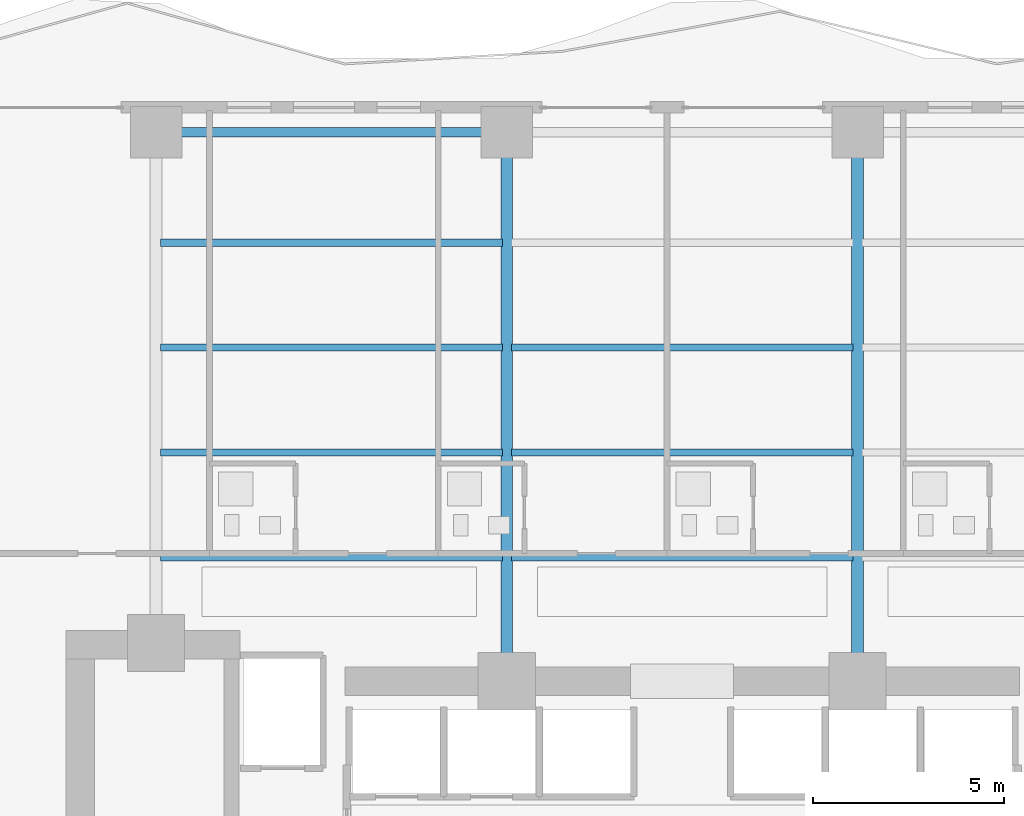
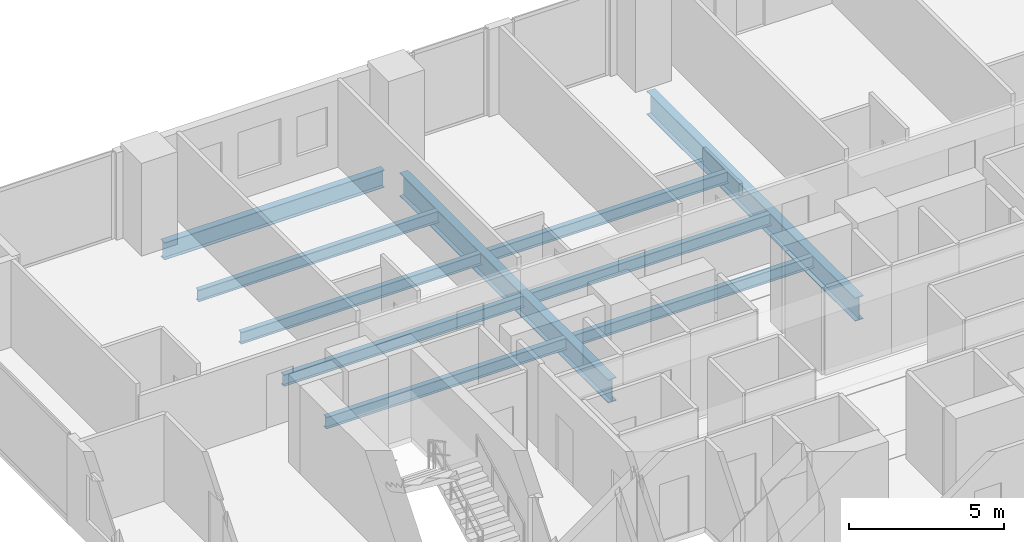
# One storey, part 15 of 27: 10 beams.
"""IFC4 building model written with IfcOpenShell, lengths in metres."""

from ifc_helpers import new_model, si_unit, direction, frame, origin, origin_2d, place, context, subcontext, project, spatial, i_section, extrude, material, material_profile, profile_set, type_object, element, save


model = new_model("IFC4")

# Units and contexts
model_context = context("Model", 3, precision=1e-05, world=origin(), true_north=direction((0.0, 1.0)))
body_context = subcontext(model_context, "Body", "Model", "MODEL_VIEW")
ifc_project = project(units=[si_unit("LENGTHUNIT", "METRE"), si_unit("AREAUNIT", "SQUARE_METRE"), si_unit("VOLUMEUNIT", "CUBIC_METRE"), si_unit("PLANEANGLEUNIT", "RADIAN"), si_unit("MASSUNIT", "GRAM", prefix="KILO")], contexts=[model_context])

# Site, building, storey
site_placement = place(None, origin())
site = spatial("IfcSite", under=ifc_project, at=site_placement, CompositionType="ELEMENT")
building_placement = place(site_placement, origin())
building = spatial("IfcBuilding", under=site, at=building_placement, Name="Zuhayl Quay Hotel", CompositionType="ELEMENT")
storey_placement = place(building_placement, frame((0.0, 0.0, 102.949951171875)))
storey = spatial("IfcBuildingStorey", under=building, at=storey_placement, Name="L25", CompositionType="ELEMENT", Elevation=102.949951171875)

# Beams
ifc_material = material(Name="Steel ASTM A992 Grade 50", Category="steel")
ifc_material_profile_1 = material_profile(ifc_material, i_section(OverallWidth=0.25390625, OverallDepth=0.68310546875, WebThickness=0.012451171875, FlangeThickness=0.018798828125, at=origin_2d()), Name="W27X94")
ifc_profile_set_1 = profile_set([ifc_material_profile_1], Name="Steel ASTM A992 Grade 50")
beam_type_1 = type_object("IfcBeamType", Name="BM_B2_W27X94", PredefinedType="BEAM", material=ifc_profile_set_1)
beam_placement = place(storey_placement, frame((-5.10009765625, 27.75, -0.5615234375), z_axis=(-1.0, 0.0, 0.0), x_axis=(0.0, -1.0, 0.0)))
element("IfcBeam", 1, at=beam_placement, inside=storey, type_object=beam_type_1, Name="L25 Floor Beam RG_L25_09", PredefinedType="BEAM", context=body_context, shape_type="SweptSolid", body=[
    extrude(i_section(OverallWidth=0.25390625, OverallDepth=0.68310546875, WebThickness=0.012451171875, FlangeThickness=0.018798828125, at=origin_2d()), origin(), (0.0, 0.0, 1.0), 8.199951171875),
])
ifc_material_profile_2 = material_profile(ifc_material, i_section(OverallWidth=0.18994140625, OverallDepth=0.45703125, WebThickness=0.009033203125, FlangeThickness=0.014404296875, at=origin_2d()), Name="W18X50")
ifc_profile_set_2 = profile_set([ifc_material_profile_2], Name="Steel ASTM A992 Grade 50")
beam_type_2 = type_object("IfcBeamType", Name="BM_J2_W18X50", PredefinedType="JOIST", material=ifc_profile_set_2)
for number, where, z_axis, x_axis, name in (
    (2, (-13.680908203125, 16.60009765625, -0.448486328125), (1.0, 0.0, 0.0), (0.0, 1.0, 0.0), "L25 Floor Beam FJ_L25_1_1"),
    (3, (-4.48095703125, 16.60009765625, -0.448486328125), (1.0, 0.0, 0.0), (0.0, 1.0, 0.0), "L25 Floor Beam FJ_L25_1_2"),
    (4, (-13.680908203125, 19.35009765625, -0.448486328125), (1.0, 0.0, 0.0), (0.0, 1.0, 0.0), "L25 Floor Beam FJ_L25_2_1"),
    (5, (-4.48095703125, 19.35009765625, -0.448486328125), (1.0, 0.0, 0.0), (0.0, 1.0, 0.0), "L25 Floor Beam FJ_L25_2_2"),
    (6, (-13.680908203125, 22.10009765625, -0.448486328125), (1.0, 0.0, 0.0), (0.0, 1.0, 0.0), "L25 Floor Beam FJ_L25_3_1"),
    (7, (-4.48095703125, 22.10009765625, -0.448486328125), (1.0, 0.0, 0.0), (0.0, 1.0, 0.0), "L25 Floor Beam FJ_L25_3_2"),
    (8, (-13.680908203125, 24.85009765625, -0.448486328125), (1.0, 0.0, 0.0), (0.0, 1.0, 0.0), "L25 Floor Beam FJ_L25_4_1"),
):
    element("IfcBeam", number, at=place(storey_placement, frame(where, z_axis=z_axis, x_axis=x_axis)), inside=storey, type_object=beam_type_2, Name=name, PredefinedType="JOIST", context=body_context, shape_type="SweptSolid", body=[
        extrude(i_section(OverallWidth=0.18994140625, OverallDepth=0.45703125, WebThickness=0.009033203125, FlangeThickness=0.014404296875, at=origin_2d()), origin(), (0.0, 0.0, 1.0), 8.9619140625),
    ])
ifc_material_profile_3 = material_profile(ifc_material, i_section(OverallWidth=0.306884765625, OverallDepth=0.927001953125, WebThickness=0.019287109375, FlangeThickness=0.031982421875, at=origin_2d()), Name="W36X194")
ifc_profile_set_3 = profile_set([ifc_material_profile_3], Name="Steel ASTM A992 Grade 50")
beam_type_3 = type_object("IfcBeamType", Name="BM_PG2_W36X194", PredefinedType="BEAM", material=ifc_profile_set_3)
for number, where, z_axis, x_axis, name in (
    (9, (-4.60009765625, 13.800048828125, -0.683349609375), (0.0, 1.0, 0.0), (-1.0, 0.0, 0.0), "L25 Floor Beam FG_N_L25_2"),
    (10, (4.60009765625, 13.800048828125, -0.683349609375), (0.0, 1.0, 0.0), (-1.0, 0.0, 0.0), "L25 Floor Beam FG_N_L25_3"),
):
    element("IfcBeam", number, at=place(storey_placement, frame(where, z_axis=z_axis, x_axis=x_axis)), inside=storey, type_object=beam_type_3, Name=name, PredefinedType="BEAM", context=body_context, shape_type="SweptSolid", body=[
        extrude(i_section(OverallWidth=0.306884765625, OverallDepth=0.927001953125, WebThickness=0.019287109375, FlangeThickness=0.031982421875, at=origin_2d()), origin(), (0.0, 0.0, 1.0), 13.449951171875),
    ])

save(model, "model.ifc")
